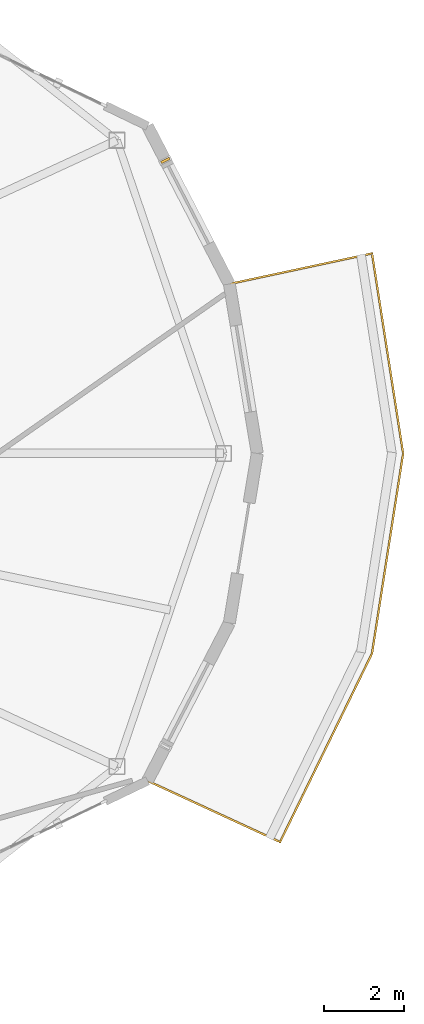
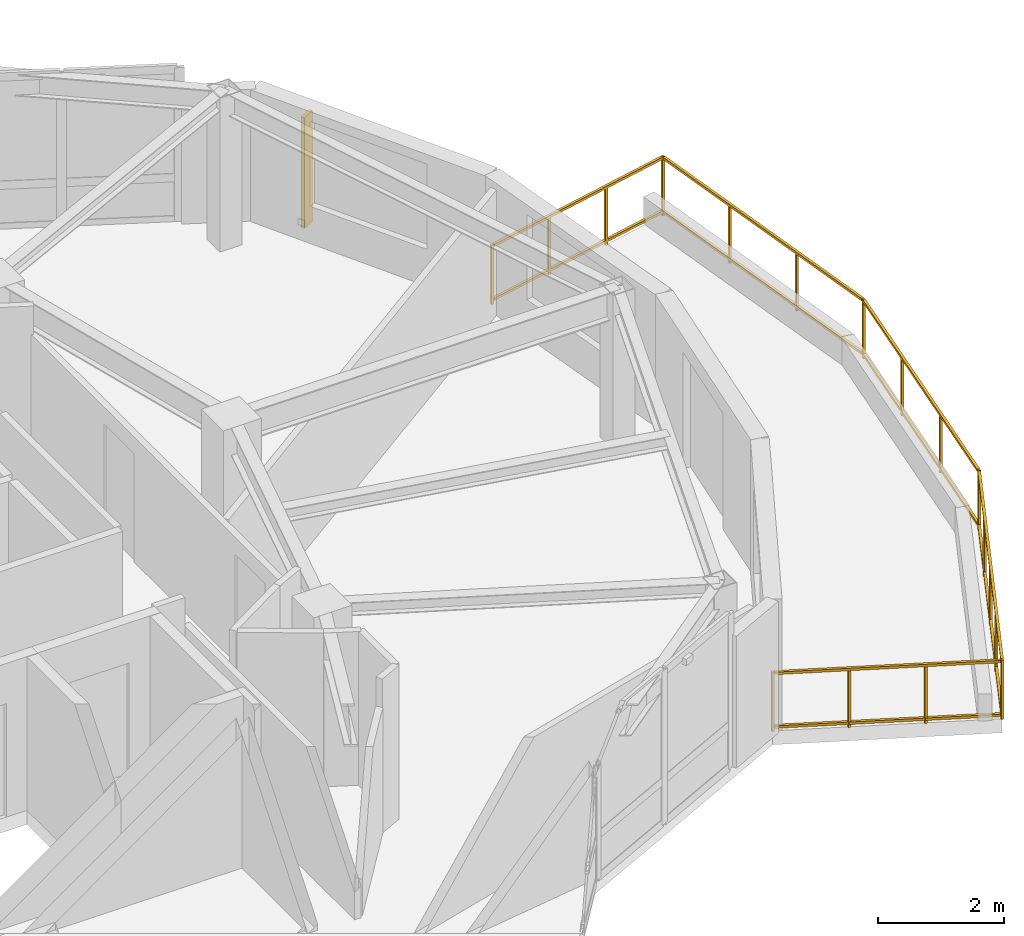
# One storey, part 14 of 15: 1 railing, 1 shading device.
"""IFC4 building model written with IfcOpenShell, lengths in metres."""

from ifc_helpers import new_model, si_unit, direction, frame, origin, origin_2d, place, context, subcontext, project, spatial, rectangle, extrude, material, type_object, element, save


model = new_model("IFC4")

# Units and contexts
model_context = context("Model", 3, precision=1e-05, world=origin(), true_north=direction((0.0, 1.0)))
body_context = subcontext(model_context, "Body", "Model", "MODEL_VIEW")
ifc_project = project(units=[si_unit("LENGTHUNIT", "METRE"), si_unit("AREAUNIT", "SQUARE_METRE"), si_unit("VOLUMEUNIT", "CUBIC_METRE"), si_unit("PLANEANGLEUNIT", "RADIAN"), si_unit("MASSUNIT", "GRAM", prefix="KILO")], contexts=[model_context])

# Site, building, storey
site_placement = place(None, origin())
site = spatial("IfcSite", under=ifc_project, at=site_placement, CompositionType="ELEMENT")
building_placement = place(site_placement, origin())
building = spatial("IfcBuilding", under=site, at=building_placement, Name="Kolvaren Gate Tower and Convention Centre", CompositionType="ELEMENT")
storey_placement = place(building_placement, frame((0.0, 0.0, 272.300048828125)))
storey = spatial("IfcBuildingStorey", under=building, at=storey_placement, Name="L74", CompositionType="ELEMENT", Elevation=272.300048828125)

# Railing
ifc_material_1 = material(Name="Brushed Stainless Steel Grade 316L", Category="steel")
railing_type = type_object("IfcRailingType", Name="ARCH-RL-GUARD-1150", PredefinedType="GUARDRAIL", material=ifc_material_1)
railing_placement = place(storey_placement, frame((47.905517578125, 18.78759765625, 0.0)))
element("IfcRailing", 1, at=railing_placement, inside=storey, type_object=railing_type, Name="Tower L74 Terrace Perimeter Guardrail GR-4", PredefinedType="GUARDRAIL", context=body_context, shape_type="SweptSolid", body=[
    extrude(rectangle(XDim=0.048095703125, YDim=0.048095703125, at=origin_2d()), frame((0.025390625, -0.01171875, 1.1259765625), z_axis=(0.907820723829, -0.419358478377, 0.0), x_axis=(0.419358478377, 0.907820723829, 0.0)), (0.0, 0.0, 1.0), 3.60400390625),
    extrude(rectangle(XDim=0.048095703125, YDim=0.048095703125, at=origin_2d()), frame((0.025390625, -0.01171875, 0.083984375), z_axis=(0.907820723829, -0.419358478377, 0.0), x_axis=(0.419358478377, 0.907820723829, 0.0)), (0.0, 0.0, 1.0), 3.60400390625),
    extrude(rectangle(XDim=0.048095703125, YDim=0.048095703125, at=origin_2d()), frame((3.3349609375, -1.509765625, 1.1259765625), z_axis=(0.438469339137, 0.898746148051, 0.0), x_axis=(-0.898746148051, 0.438469339137, 0.0)), (0.0, 0.0, 1.0), 5.20556640625),
    extrude(rectangle(XDim=0.048095703125, YDim=0.048095703125, at=origin_2d()), frame((3.3349609375, -1.509765625, 0.083984375), z_axis=(0.438469339137, 0.898746148051, 0.0), x_axis=(-0.898746148051, 0.438469339137, 0.0)), (0.0, 0.0, 1.0), 5.20556640625),
    extrude(rectangle(XDim=0.048095703125, YDim=0.048095703125, at=origin_2d()), frame((5.63427734375, 3.221923828125, 1.1259765625), z_axis=(0.153733081728, 0.988112412422, 0.0), x_axis=(-0.988112412422, 0.153733081728, 0.0)), (0.0, 0.0, 1.0), 5.022705078125),
    extrude(rectangle(XDim=0.048095703125, YDim=0.048095703125, at=origin_2d()), frame((5.63427734375, 3.221923828125, 0.083984375), z_axis=(0.153733081728, 0.988112412422, 0.0), x_axis=(-0.988112412422, 0.153733081728, 0.0)), (0.0, 0.0, 1.0), 5.022705078125),
    extrude(rectangle(XDim=0.048095703125, YDim=0.048095703125, at=origin_2d()), frame((6.40625, 8.240234375, 1.1259765625), z_axis=(-0.153733081728, 0.988112412422, 0.0), x_axis=(-0.988112412422, -0.153733081728, 0.0)), (0.0, 0.0, 1.0), 5.022705078125),
    extrude(rectangle(XDim=0.048095703125, YDim=0.048095703125, at=origin_2d()), frame((6.40625, 8.240234375, 0.083984375), z_axis=(-0.153733081728, 0.988112412422, 0.0), x_axis=(-0.988112412422, -0.153733081728, 0.0)), (0.0, 0.0, 1.0), 5.022705078125),
    extrude(rectangle(XDim=0.048095703125, YDim=0.048095703125, at=origin_2d()), frame((5.6025390625, 13.224853515625, 1.1259765625), z_axis=(-0.977788745232, -0.209592866525, 0.0), x_axis=(0.209592866525, -0.977788745232, 0.0)), (0.0, 0.0, 1.0), 3.603759765625),
    extrude(rectangle(XDim=0.048095703125, YDim=0.048095703125, at=origin_2d()), frame((5.6025390625, 13.224853515625, 0.083984375), z_axis=(-0.977788745232, -0.209592866525, 0.0), x_axis=(0.209592866525, -0.977788745232, 0.0)), (0.0, 0.0, 1.0), 3.603759765625),
    extrude(rectangle(XDim=0.0419921875, YDim=0.0419921875, at=origin_2d()), origin(), (0.0, 0.0, 1.0), 1.14990234375),
    extrude(rectangle(XDim=0.0419921875, YDim=0.0419921875, at=origin_2d()), frame((3.32275390625, -1.534912109375, 0.0)), (0.0, 0.0, 1.0), 1.14990234375),
    extrude(rectangle(XDim=0.0419921875, YDim=0.0419921875, at=origin_2d()), frame((1.107666015625, -0.51171875, 0.0)), (0.0, 0.0, 1.0), 1.099853515625),
    extrude(rectangle(XDim=0.0419921875, YDim=0.0419921875, at=origin_2d()), frame((2.215087890625, -1.023193359375, 0.0)), (0.0, 0.0, 1.0), 1.099853515625),
    extrude(rectangle(XDim=0.0419921875, YDim=0.0419921875, at=origin_2d()), frame((5.6298828125, 3.194091796875, 0.0)), (0.0, 0.0, 1.0), 1.14990234375),
    extrude(rectangle(XDim=0.0419921875, YDim=0.0419921875, at=origin_2d()), frame((3.8994140625, -0.3525390625, 0.0)), (0.0, 0.0, 1.0), 1.099853515625),
    extrude(rectangle(XDim=0.0419921875, YDim=0.0419921875, at=origin_2d()), frame((4.476318359375, 0.82958984375, 0.0)), (0.0, 0.0, 1.0), 1.099853515625),
    extrude(rectangle(XDim=0.0419921875, YDim=0.0419921875, at=origin_2d()), frame((5.05322265625, 2.01171875, 0.0)), (0.0, 0.0, 1.0), 1.099853515625),
    extrude(rectangle(XDim=0.0419921875, YDim=0.0419921875, at=origin_2d()), frame((6.41064453125, 8.21240234375, 0.0)), (0.0, 0.0, 1.0), 1.14990234375),
    extrude(rectangle(XDim=0.0419921875, YDim=0.0419921875, at=origin_2d()), frame((5.89013671875, 4.866943359375, 0.0)), (0.0, 0.0, 1.0), 1.099853515625),
    extrude(rectangle(XDim=0.0419921875, YDim=0.0419921875, at=origin_2d()), frame((6.150390625, 6.53955078125, 0.0)), (0.0, 0.0, 1.0), 1.099853515625),
    extrude(rectangle(XDim=0.0419921875, YDim=0.0419921875, at=origin_2d()), frame((5.6298828125, 13.230712890625, 0.0)), (0.0, 0.0, 1.0), 1.14990234375),
    extrude(rectangle(XDim=0.0419921875, YDim=0.0419921875, at=origin_2d()), frame((6.150390625, 9.88525390625, 0.0)), (0.0, 0.0, 1.0), 1.099853515625),
    extrude(rectangle(XDim=0.0419921875, YDim=0.0419921875, at=origin_2d()), frame((5.89013671875, 11.557861328125, 0.0)), (0.0, 0.0, 1.0), 1.099853515625),
    extrude(rectangle(XDim=0.0419921875, YDim=0.0419921875, at=origin_2d()), frame((2.05126953125, 12.463623046875, 0.0)), (0.0, 0.0, 1.0), 1.14990234375),
    extrude(rectangle(XDim=0.0419921875, YDim=0.0419921875, at=origin_2d()), frame((4.43701171875, 12.97509765625, 0.0)), (0.0, 0.0, 1.0), 1.099853515625),
    extrude(rectangle(XDim=0.0419921875, YDim=0.0419921875, at=origin_2d()), frame((3.244140625, 12.71923828125, 0.0)), (0.0, 0.0, 1.0), 1.099853515625),
])

# Shading device
ifc_material_2 = material(Name="Kiln-Fired Bogota Terracotta Ceramic Louvre Profile", Category="masonry")
shading_device_type = type_object("IfcShadingDeviceType", Name="ARCH-SHD-FIN-180", PredefinedType="JALOUSIE", material=ifc_material_2)
shading_device_placement = place(storey_placement, frame((48.3515625, 34.35107421875, 0.219970703125), z_axis=(0.0, 0.0, 1.0), x_axis=(0.459793759781, -0.888025730746, 0.0)))
element("IfcShadingDevice", 2, at=shading_device_placement, inside=storey, type_object=shading_device_type, Name="Ceramic Vertical Brise-Soleil Fin FN-L74-01", PredefinedType="JALOUSIE", context=body_context, shape_type="SweptSolid", body=[
    extrude(rectangle(XDim=0.06005859375, YDim=0.239990234375, at=origin_2d()), origin(), (0.0, 0.0, 1.0), 2.14990234375),
])

save(model, "model.ifc")
